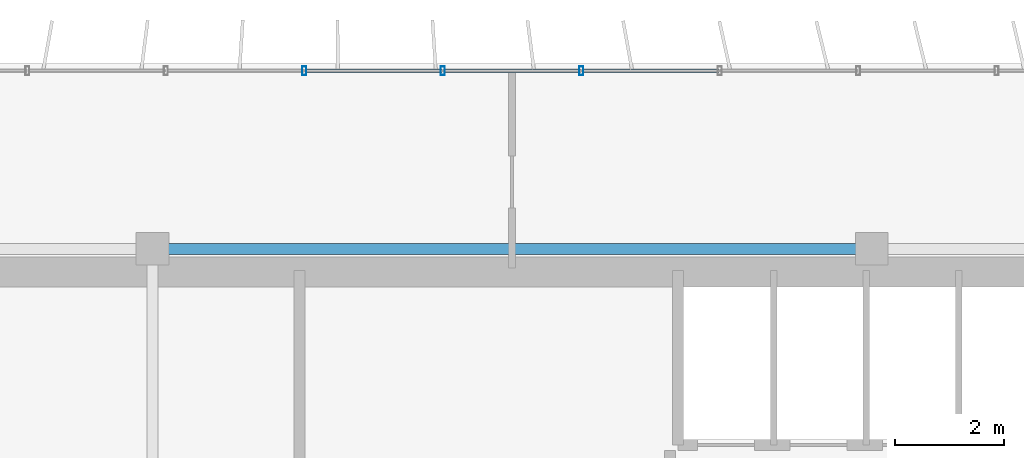
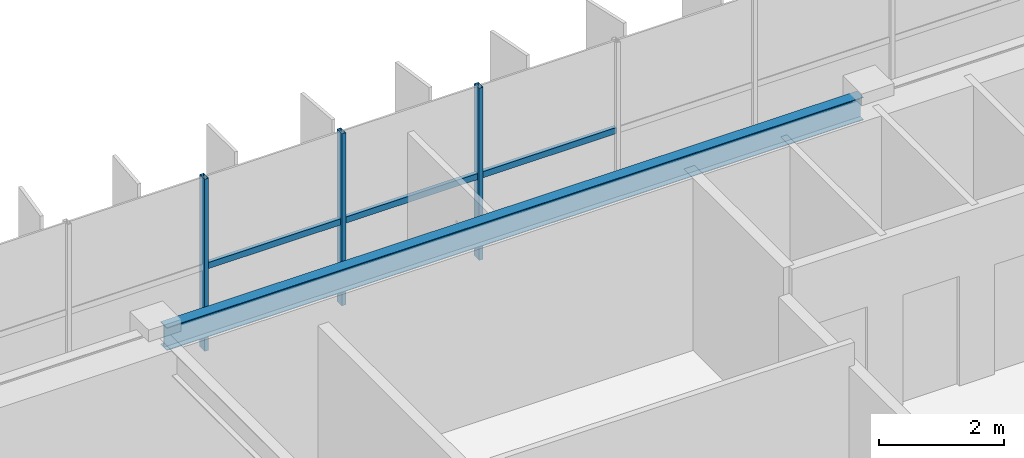
# One storey, part 9 of 21: 6 members, 1 beam, 1 element without a shape of its own.
"""IFC4 building model written with IfcOpenShell, lengths in metres."""

from ifc_helpers import new_model, si_unit, direction, frame, origin, origin_2d, place, context, subcontext, project, spatial, hollow_rectangle, i_section, extrude, source, transform, mapped, material, material_profile, profile_set, type_object, element, aggregate, save


model = new_model("IFC4")

# Units and contexts
model_context = context("Model", 3, precision=1e-05, world=origin(), true_north=direction((0.0, 1.0)))
body_context = subcontext(model_context, "Body", "Model", "MODEL_VIEW")
ifc_project = project(units=[si_unit("LENGTHUNIT", "METRE"), si_unit("AREAUNIT", "SQUARE_METRE"), si_unit("VOLUMEUNIT", "CUBIC_METRE"), si_unit("PLANEANGLEUNIT", "RADIAN"), si_unit("MASSUNIT", "GRAM", prefix="KILO")], contexts=[model_context])

# Site, building, storey
site_placement = place(None, origin())
site = spatial("IfcSite", under=ifc_project, at=site_placement, CompositionType="ELEMENT")
building_placement = place(site_placement, origin())
building = spatial("IfcBuilding", under=site, at=building_placement, Name="Trelvane Seafront Commons", CompositionType="ELEMENT")
storey_placement = place(building_placement, frame((0.0, 0.0, 248.699951171875)))
storey = spatial("IfcBuildingStorey", under=building, at=storey_placement, Name="L64", CompositionType="ELEMENT", Elevation=248.699951171875)

# Beam
ifc_material_1 = material(Name="Steel SM355 (S355)", Category="steel")
ifc_material_profile_1 = material_profile(ifc_material_1, i_section(OverallWidth=0.199951171875, OverallDepth=0.449951171875, WebThickness=0.009033203125, FlangeThickness=0.013916015625, at=origin_2d()), Name="H-450x200x9x14")
ifc_profile_set_1 = profile_set([ifc_material_profile_1], Name="Steel SM355 (S355)")
beam_type = type_object("IfcBeamType", Name="STR-SPD-H450", PredefinedType="SPANDREL", material=ifc_profile_set_1)
shared_shape_1 = source(origin(), body_context, "Body", "SweptSolid", [
    extrude(i_section(OverallWidth=0.199951171875, OverallDepth=0.449951171875, WebThickness=0.009033203125, FlangeThickness=0.013916015625, at=origin_2d()), origin(), (0.0, 0.0, 1.0), 12.89990234375),
])
beam_placement = place(storey_placement, frame((30.75, 45.10009765625, 3.14501953125), z_axis=(1.0, 0.0, 0.0), x_axis=(0.0, 1.0, 0.0)))
element("IfcBeam", 1, at=beam_placement, inside=storey, type_object=beam_type, Name="L64 Primary Girder G-25", PredefinedType="SPANDREL", context=body_context, shape_type="MappedRepresentation", body=[
    mapped(shared_shape_1, transform((0.0, 0.0, 0.0), x_axis=(1.0, 0.0, 0.0), y_axis=(0.0, 1.0, 0.0), z_axis=(0.0, 0.0, 1.0), scale=1.0)),
])

# Curtain wall, members
ifc_material_2 = material(Name="Anodised pale-silver aluminium", Category="aluminium")
curtain_wall_type = type_object("IfcCurtainWallType", Name="ARCH-CW5-UPTOWER", PredefinedType="NOTDEFINED", material=ifc_material_2)
curtain_wall_placement = place(storey_placement, origin())
curtain_wall = element("IfcCurtainWall", 2, at=curtain_wall_placement, inside=storey, type_object=curtain_wall_type, Name="CW-L64-0108", PredefinedType="NOTDEFINED")
ifc_material_profile_2 = material_profile(ifc_material_2, hollow_rectangle(XDim=0.070068359375, YDim=0.1201171875, WallThickness=0.00390625, at=origin_2d()), Name="TRAN-70x120x4")
ifc_profile_set_2 = profile_set([ifc_material_profile_2], Name="Anodised pale-silver aluminium")
member_type_1 = type_object("IfcMemberType", Name="ARCH-CW-TRAN-120", PredefinedType="USERDEFINED", material=ifc_profile_set_2)
shared_shape_2 = source(origin(), body_context, "Body", "SweptSolid", [
    extrude(hollow_rectangle(XDim=0.070068359375, YDim=0.1201171875, WallThickness=0.00390625, at=origin_2d()), origin(), (0.0, 0.0, 1.0), 2.51708984375),
])
member_1_placement = place(storey_placement, frame((35.94140625, 48.3701171875, 1.6181640625), z_axis=(1.0, 0.0, 0.0), x_axis=(0.0, 1.0, 0.0)))
member_1 = element("IfcMember", 3, at=member_1_placement, type_object=member_type_1, Name="CW-L64-0108-T08", ObjectType="TRANSOM", PredefinedType="USERDEFINED", context=body_context, shape_type="MappedRepresentation", body=[
    mapped(shared_shape_2, transform((0.0, 0.0, 0.0), x_axis=(1.0, 0.0, 0.0), y_axis=(0.0, 1.0, 0.0), z_axis=(0.0, 0.0, 1.0), scale=1.0)),
])
member_2_placement = place(storey_placement, frame((38.482666015625, 48.3701171875, 1.6181640625), z_axis=(1.0, 0.0, 0.0), x_axis=(0.0, 1.0, 0.0)))
member_2 = element("IfcMember", 4, at=member_2_placement, type_object=member_type_1, Name="CW-L64-0108-T09", ObjectType="TRANSOM", PredefinedType="USERDEFINED", context=body_context, shape_type="MappedRepresentation", body=[
    mapped(shared_shape_2, transform((0.0, 0.0, 0.0), x_axis=(1.0, 0.0, 0.0), y_axis=(0.0, 1.0, 0.0), z_axis=(0.0, 0.0, 1.0), scale=1.0)),
])
shared_shape_3 = source(origin(), body_context, "Body", "SweptSolid", [
    extrude(hollow_rectangle(XDim=0.070068359375, YDim=0.1201171875, WallThickness=0.00390625, at=origin_2d()), origin(), (0.0, 0.0, 1.0), 2.517333984375),
])
member_3_placement = place(storey_placement, frame((33.400146484375, 48.3701171875, 1.6181640625), z_axis=(1.0, 0.0, 0.0), x_axis=(0.0, 1.0, 0.0)))
member_3 = element("IfcMember", 5, at=member_3_placement, type_object=member_type_1, Name="CW-L64-0108-T07", ObjectType="TRANSOM", PredefinedType="USERDEFINED", context=body_context, shape_type="MappedRepresentation", body=[
    mapped(shared_shape_3, transform((0.0, 0.0, 0.0), x_axis=(1.0, 0.0, 0.0), y_axis=(0.0, 1.0, 0.0), z_axis=(0.0, 0.0, 1.0), scale=1.0)),
])
ifc_material_profile_3 = material_profile(ifc_material_2, hollow_rectangle(XDim=0.074951171875, YDim=0.159912109375, WallThickness=0.00390625, at=origin_2d()), Name="MULL-75x160x4")
ifc_profile_set_3 = profile_set([ifc_material_profile_3], Name="Anodised pale-silver aluminium")
member_type_2 = type_object("IfcMemberType", Name="ARCH-CW-MULL-160", PredefinedType="MULLION", material=ifc_profile_set_3)
shared_shape_4 = source(origin(), body_context, "Body", "SweptSolid", [
    extrude(hollow_rectangle(XDim=0.074951171875, YDim=0.159912109375, WallThickness=0.00390625, at=origin_2d()), origin(), (0.0, 0.0, 1.0), 3.3701171875),
])
member_4_placement = place(storey_placement, frame((33.38818359375, 48.3701171875, 0.0), z_axis=(0.0, 0.0, 1.0), x_axis=(1.0, 0.0, 0.0)))
member_4 = element("IfcMember", 6, at=member_4_placement, type_object=member_type_2, Name="CW-L64-0108-M07", PredefinedType="MULLION", context=body_context, shape_type="MappedRepresentation", body=[
    mapped(shared_shape_4, transform((0.0, 0.0, 0.0), x_axis=(1.0, 0.0, 0.0), y_axis=(0.0, 1.0, 0.0), z_axis=(0.0, 0.0, 1.0), scale=1.0)),
])
member_5_placement = place(storey_placement, frame((35.929443359375, 48.3701171875, 0.0), z_axis=(0.0, 0.0, 1.0), x_axis=(1.0, 0.0, 0.0)))
member_5 = element("IfcMember", 7, at=member_5_placement, type_object=member_type_2, Name="CW-L64-0108-M08", PredefinedType="MULLION", context=body_context, shape_type="MappedRepresentation", body=[
    mapped(shared_shape_4, transform((0.0, 0.0, 0.0), x_axis=(1.0, 0.0, 0.0), y_axis=(0.0, 1.0, 0.0), z_axis=(0.0, 0.0, 1.0), scale=1.0)),
])
member_6_placement = place(storey_placement, frame((38.470703125, 48.3701171875, 0.0), z_axis=(0.0, 0.0, 1.0), x_axis=(1.0, 0.0, 0.0)))
member_6 = element("IfcMember", 8, at=member_6_placement, type_object=member_type_2, Name="CW-L64-0108-M09", PredefinedType="MULLION", context=body_context, shape_type="MappedRepresentation", body=[
    mapped(shared_shape_4, transform((0.0, 0.0, 0.0), x_axis=(1.0, 0.0, 0.0), y_axis=(0.0, 1.0, 0.0), z_axis=(0.0, 0.0, 1.0), scale=1.0)),
])
aggregate(curtain_wall, [member_4, member_5, member_6, member_3, member_1, member_2])

save(model, "model.ifc")
